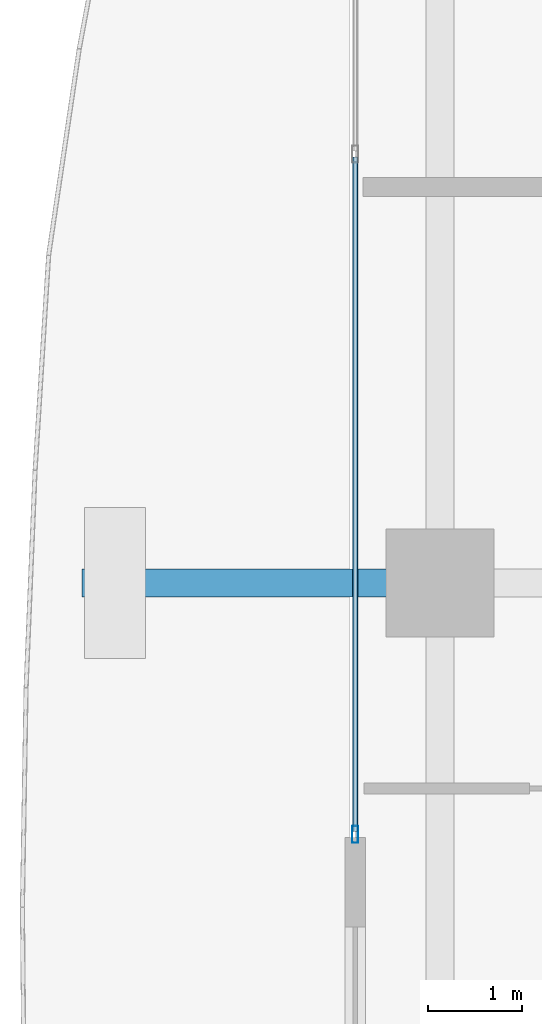
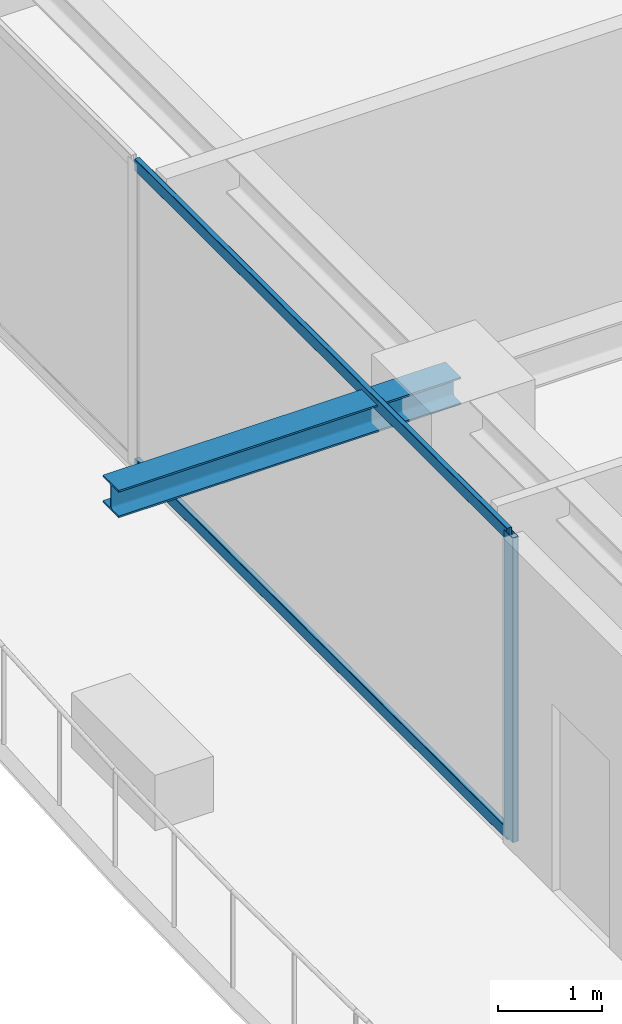
# One storey, part 10 of 40: 3 members, 1 beam, 1 element without a shape of its own.
"""IFC4 building model written with IfcOpenShell, lengths in metres."""

from ifc_helpers import new_model, si_unit, direction, frame, origin, origin_2d, place, context, subcontext, project, spatial, hollow_rectangle, i_section, extrude, source, transform, mapped, material, layer, layer_set, material_profile, profile_set, type_object, element, aggregate, save


model = new_model("IFC4")

# Units and contexts
model_context = context("Model", 3, precision=1e-05, world=origin(), true_north=direction((0.0, 1.0)))
body_context = subcontext(model_context, "Body", "Model", "MODEL_VIEW")
ifc_project = project(units=[si_unit("LENGTHUNIT", "METRE"), si_unit("AREAUNIT", "SQUARE_METRE"), si_unit("VOLUMEUNIT", "CUBIC_METRE"), si_unit("PLANEANGLEUNIT", "RADIAN"), si_unit("MASSUNIT", "GRAM", prefix="KILO")], contexts=[model_context])

# Site, building, storey
site_placement = place(None, origin())
site = spatial("IfcSite", under=ifc_project, at=site_placement, CompositionType="ELEMENT")
building_placement = place(site_placement, origin())
building = spatial("IfcBuilding", under=site, at=building_placement, Name="Serunith Strait Residences", CompositionType="ELEMENT")
storey_placement = place(building_placement, frame((0.0, 0.0, 252.800048828125)))
storey = spatial("IfcBuildingStorey", under=building, at=storey_placement, Name="L63", CompositionType="ELEMENT", Elevation=252.800048828125)

# Beam
ifc_material_1 = material(Name="Steel S355J2", Category="steel")
ifc_material_profile_1 = material_profile(ifc_material_1, i_section(OverallWidth=0.300048828125, OverallDepth=0.320068359375, WebThickness=0.011474609375, FlangeThickness=0.0205078125, FilletRadius=0.027099609375, at=origin_2d()), Name="HEB 320")
ifc_profile_set_1 = profile_set([ifc_material_profile_1], Name="Steel S355J2")
beam_type = type_object("IfcBeamType", Name="BM-HEB320", PredefinedType="BEAM", material=ifc_profile_set_1)
shared_shape_1 = source(origin(), body_context, "Body", "SweptSolid", [
    extrude(i_section(OverallWidth=0.300048828125, OverallDepth=0.320068359375, WebThickness=0.011474609375, FlangeThickness=0.0205078125, FilletRadius=0.027099609375, at=origin_2d()), origin(), (0.0, 0.0, 1.0), 3.800048828125),
])
beam_placement = place(storey_placement, frame((8.300048828125, 29.39990234375, 3.39697265625), z_axis=(-1.0, 0.0, 0.0), x_axis=(0.0, -1.0, 0.0)))
element("IfcBeam", 1, at=beam_placement, inside=storey, type_object=beam_type, Name="L64 Cantilevered Balcony Rib TC-W3", PredefinedType="BEAM", context=body_context, shape_type="MappedRepresentation", body=[
    mapped(shared_shape_1, transform((0.0, 0.0, 0.0), scale=1.0)),
])

# Curtain wall, members
ifc_material_2 = material(Name="Pale-Champagne Anodised Aluminium", Category="aluminium")
ifc_layer = layer(ifc_material_2, 0.199951171875, Name="Pale-Champagne Anodised Aluminium")
ifc_layer_set = layer_set([ifc_layer], Name="Pale-Champagne Anodised Aluminium")
curtain_wall_type = type_object("IfcCurtainWallType", Name="CW-SYS4", PredefinedType="NOTDEFINED", material=ifc_layer_set)
curtain_wall_placement = place(storey_placement, origin())
curtain_wall = element("IfcCurtainWall", 2, at=curtain_wall_placement, inside=storey, type_object=curtain_wall_type, Name="L63 W Unitised Fritted Curtain Wall", PredefinedType="NOTDEFINED")
ifc_material_profile_2 = material_profile(ifc_material_2, hollow_rectangle(XDim=0.06494140625, YDim=0.179931640625, WallThickness=0.00341796875, InnerFilletRadius=0.00537109375, OuterFilletRadius=0.0087890625, at=origin_2d()), Name="ALU 180x65x3.5")
ifc_profile_set_2 = profile_set([ifc_material_profile_2], Name="Pale-Champagne Anodised Aluminium")
member_type_1 = type_object("IfcMemberType", Name="CW-SYS4-MULL", PredefinedType="MULLION", material=ifc_profile_set_2)
shared_shape_2 = source(origin(), body_context, "Body", "SweptSolid", [
    extrude(hollow_rectangle(XDim=0.06494140625, YDim=0.179931640625, WallThickness=0.00341796875, InnerFilletRadius=0.00537109375, OuterFilletRadius=0.0087890625, at=origin_2d()), origin(), (0.0, 0.0, 1.0), 3.574951171875),
])
member_1_placement = place(storey_placement, frame((7.39990234375, 26.732421875, 0.0), z_axis=(0.0, 0.0, 1.0), x_axis=(1.0, 0.0, 0.0)))
member_1 = element("IfcMember", 3, at=member_1_placement, type_object=member_type_1, Name="CW-4 mullion 3", PredefinedType="MULLION", context=body_context, shape_type="MappedRepresentation", body=[
    mapped(shared_shape_2, transform((0.0, 0.0, 0.0), scale=1.0)),
])
ifc_material_profile_3 = material_profile(ifc_material_2, hollow_rectangle(XDim=0.06005859375, YDim=0.139892578125, WallThickness=0.00341796875, InnerFilletRadius=0.00537109375, OuterFilletRadius=0.0087890625, at=origin_2d()), Name="ALU 140x60x3.5")
ifc_profile_set_3 = profile_set([ifc_material_profile_3], Name="Pale-Champagne Anodised Aluminium")
member_type_2 = type_object("IfcMemberType", Name="CW-SYS4-TRAN", PredefinedType="USERDEFINED", material=ifc_profile_set_3)
shared_shape_3 = source(origin(), body_context, "Body", "SweptSolid", [
    extrude(hollow_rectangle(XDim=0.06005859375, YDim=0.139892578125, WallThickness=0.00341796875, InnerFilletRadius=0.00537109375, OuterFilletRadius=0.0087890625, at=origin_2d()), origin(), (0.0, 0.0, 1.0), 7.152587890625),
])
member_2_placement = place(storey_placement, frame((7.39990234375, 33.91748046875, 0.030029296875), z_axis=(0.0, -1.0, 0.0), x_axis=(1.0, 0.0, 0.0)))
member_2 = element("IfcMember", 4, at=member_2_placement, type_object=member_type_2, Name="CW-4 transom 2.1", ObjectType="TRANSOM", PredefinedType="USERDEFINED", context=body_context, shape_type="MappedRepresentation", body=[
    mapped(shared_shape_3, transform((0.0, 0.0, 0.0), scale=1.0)),
])
member_3_placement = place(storey_placement, frame((7.39990234375, 33.91748046875, 3.544921875), z_axis=(0.0, -1.0, 0.0), x_axis=(1.0, 0.0, 0.0)))
member_3 = element("IfcMember", 5, at=member_3_placement, type_object=member_type_2, Name="CW-4 transom 2.2", ObjectType="TRANSOM", PredefinedType="USERDEFINED", context=body_context, shape_type="MappedRepresentation", body=[
    mapped(shared_shape_3, transform((0.0, 0.0, 0.0), scale=1.0)),
])
aggregate(curtain_wall, [member_1, member_2, member_3])

save(model, "model.ifc")
